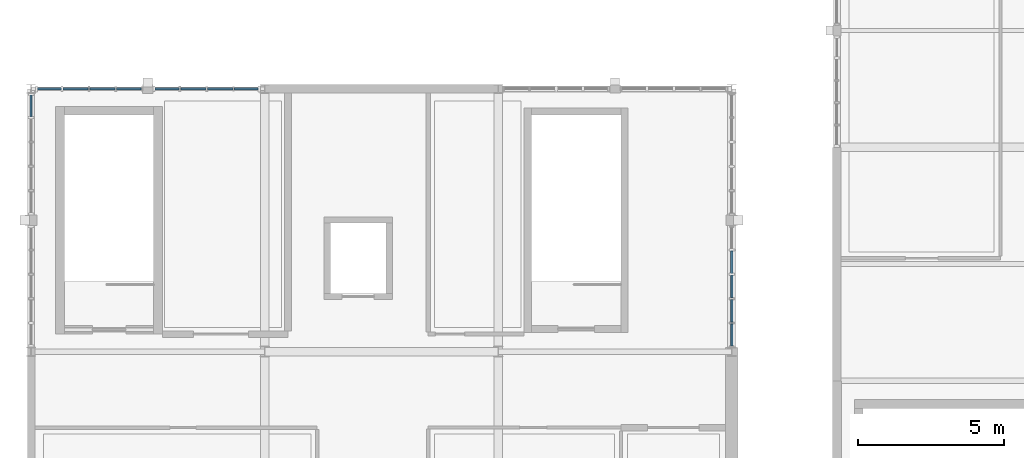
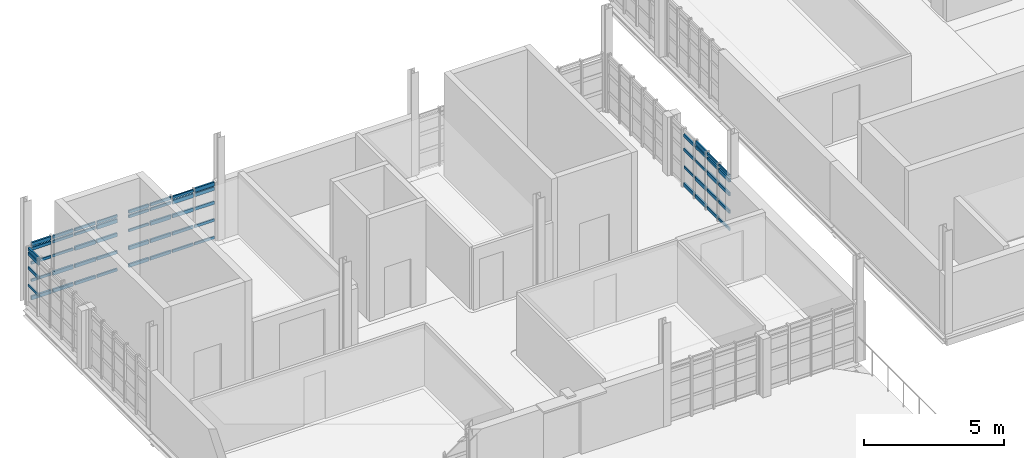
# One storey, part 19 of 44: 63 members, 4 elements without a shape of their own.
"""IFC4 building model written with IfcOpenShell, lengths in metres."""

from ifc_helpers import new_model, si_unit, direction, frame, origin, origin_2d, place, context, subcontext, project, spatial, rectangle, extrude, material, material_profile, profile_set, type_object, element, aggregate, save


model = new_model("IFC4")

# Units and contexts
model_context = context("Model", 3, precision=1e-05, world=origin(), true_north=direction((0.0, 1.0)))
body_context = subcontext(model_context, "Body", "Model", "MODEL_VIEW")
ifc_project = project(units=[si_unit("LENGTHUNIT", "METRE"), si_unit("AREAUNIT", "SQUARE_METRE"), si_unit("VOLUMEUNIT", "CUBIC_METRE"), si_unit("PLANEANGLEUNIT", "RADIAN"), si_unit("MASSUNIT", "GRAM", prefix="KILO")], contexts=[model_context])

# Site, building, storey
site_placement = place(None, origin())
site = spatial("IfcSite", under=ifc_project, at=site_placement, CompositionType="ELEMENT")
building_placement = place(site_placement, origin())
building = spatial("IfcBuilding", under=site, at=building_placement, Name="Serraforn Aerial Cableway Station", CompositionType="ELEMENT")
storey_placement = place(building_placement, frame((0.0, 0.0, 13.800048828125)))
storey = spatial("IfcBuildingStorey", under=building, at=storey_placement, Name="L03", CompositionType="ELEMENT", Elevation=13.800048828125)

# Curtain wall, members
ifc_material_1 = material(Name="Anodised bronze unitised curtain wall")
curtain_wall_type_1 = type_object("IfcCurtainWallType", Name="CW-SYS-11", PredefinedType="USERDEFINED", material=ifc_material_1)
curtain_wall_1_placement = place(storey_placement, origin())
curtain_wall_1 = element("IfcCurtainWall", 1, at=curtain_wall_1_placement, inside=storey, type_object=curtain_wall_type_1, Name="Unitised Curtain Wall CW-W-L03-N1A", ObjectType="UNITISED CURTAIN WALL", PredefinedType="USERDEFINED")
ifc_material_2 = material(Name="Anodised bronze extruded aluminium", Category="aluminium")
ifc_material_profile_1 = material_profile(ifc_material_2, rectangle(XDim=0.054931640625, YDim=0.110107421875, at=origin_2d()), Name="CW TRANSOM 55x110")
ifc_profile_set_1 = profile_set([ifc_material_profile_1], Name="Anodised bronze extruded aluminium")
member_type_1 = type_object("IfcMemberType", Name="CW-TRN-1", PredefinedType="USERDEFINED", material=ifc_profile_set_1)
member_1_placement = place(storey_placement, frame((7.779052734375, 36.0, 0.10205078125), z_axis=(-1.0, 0.0, 0.0), x_axis=(0.0, -1.0, 0.0)))
member_1 = element("IfcMember", 2, at=member_1_placement, type_object=member_type_1, Name="Curtain Wall Transom CW-W-L03-N1A-T1-1", ObjectType="TRANSOM", PredefinedType="USERDEFINED", context=body_context, shape_type="SweptSolid", body=[
    extrude(rectangle(XDim=0.054931640625, YDim=0.110107421875, at=origin_2d()), origin(), (0.0, 0.0, 1.0), 0.819580078125),
])
member_2_placement = place(storey_placement, frame((6.908447265625, 36.0, 2.447998046875), z_axis=(-1.0, 0.0, 0.0), x_axis=(0.0, -1.0, 0.0)))
member_2 = element("IfcMember", 3, at=member_2_placement, type_object=member_type_1, Name="Curtain Wall Transom CW-W-L03-N1A-T2-5", ObjectType="TRANSOM", PredefinedType="USERDEFINED", context=body_context, shape_type="SweptSolid", body=[
    extrude(rectangle(XDim=0.054931640625, YDim=0.110107421875, at=origin_2d()), origin(), (0.0, 0.0, 1.0), 0.864501953125),
])
member_3_placement = place(storey_placement, frame((5.988037109375, 36.0, 2.243896484375), z_axis=(-1.0, 0.0, 0.0), x_axis=(0.0, -1.0, 0.0)))
member_3 = element("IfcMember", 4, at=member_3_placement, type_object=member_type_1, Name="Curtain Wall Transom CW-W-L03-N1A-T3-4", ObjectType="TRANSOM", PredefinedType="USERDEFINED", context=body_context, shape_type="SweptSolid", body=[
    extrude(rectangle(XDim=0.054931640625, YDim=0.110107421875, at=origin_2d()), origin(), (0.0, 0.0, 1.0), 0.859619140625),
])
member_4_placement = place(storey_placement, frame((5.0673828125, 36.0, 1.6318359375), z_axis=(-1.0, 0.0, 0.0), x_axis=(0.0, -1.0, 0.0)))
member_4 = element("IfcMember", 5, at=member_4_placement, type_object=member_type_1, Name="Curtain Wall Transom CW-W-L03-N1A-T4-3", ObjectType="TRANSOM", PredefinedType="USERDEFINED", context=body_context, shape_type="SweptSolid", body=[
    extrude(rectangle(XDim=0.054931640625, YDim=0.110107421875, at=origin_2d()), origin(), (0.0, 0.0, 1.0), 0.8193359375),
])

curtain_wall_type_2 = type_object("IfcCurtainWallType", Name="CW-SYS-12", PredefinedType="USERDEFINED", material=ifc_material_1)
curtain_wall_2_placement = place(storey_placement, origin())
curtain_wall_2 = element("IfcCurtainWall", 6, at=curtain_wall_2_placement, inside=storey, type_object=curtain_wall_type_2, Name="Unitised Curtain Wall CW-W-L03-N1B", ObjectType="UNITISED CURTAIN WALL", PredefinedType="USERDEFINED")
member_5_placement = place(storey_placement, frame((3.76708984375, 36.0, 2.447998046875), z_axis=(-1.0, 0.0, 0.0), x_axis=(0.0, -1.0, 0.0)))
member_5 = element("IfcMember", 7, at=member_5_placement, type_object=member_type_1, Name="Curtain Wall Transom CW-W-L03-N1B-T1-5", ObjectType="TRANSOM", PredefinedType="USERDEFINED", context=body_context, shape_type="SweptSolid", body=[
    extrude(rectangle(XDim=0.054931640625, YDim=0.110107421875, at=origin_2d()), origin(), (0.0, 0.0, 1.0), 0.837158203125),
])
member_6_placement = place(storey_placement, frame((2.8740234375, 36.0, 2.243896484375), z_axis=(-1.0, 0.0, 0.0), x_axis=(0.0, -1.0, 0.0)))
member_6 = element("IfcMember", 8, at=member_6_placement, type_object=member_type_1, Name="Curtain Wall Transom CW-W-L03-N1B-T2-4", ObjectType="TRANSOM", PredefinedType="USERDEFINED", context=body_context, shape_type="SweptSolid", body=[
    extrude(rectangle(XDim=0.054931640625, YDim=0.110107421875, at=origin_2d()), origin(), (0.0, 0.0, 1.0), 0.859619140625),
])
member_7_placement = place(storey_placement, frame((1.95361328125, 36.0, 1.6318359375), z_axis=(-1.0, 0.0, 0.0), x_axis=(0.0, -1.0, 0.0)))
member_7 = element("IfcMember", 9, at=member_7_placement, type_object=member_type_1, Name="Curtain Wall Transom CW-W-L03-N1B-T3-3", ObjectType="TRANSOM", PredefinedType="USERDEFINED", context=body_context, shape_type="SweptSolid", body=[
    extrude(rectangle(XDim=0.054931640625, YDim=0.110107421875, at=origin_2d()), origin(), (0.0, 0.0, 1.0), 0.8544921875),
])
member_8_placement = place(storey_placement, frame((1.032958984375, 36.0, 0.866943359375), z_axis=(-1.0, 0.0, 0.0), x_axis=(0.0, -1.0, 0.0)))
member_8 = element("IfcMember", 10, at=member_8_placement, type_object=member_type_1, Name="Curtain Wall Transom CW-W-L03-N1B-T4-2", ObjectType="TRANSOM", PredefinedType="USERDEFINED", context=body_context, shape_type="SweptSolid", body=[
    extrude(rectangle(XDim=0.054931640625, YDim=0.110107421875, at=origin_2d()), origin(), (0.0, 0.0, 1.0), 0.81201171875),
])

# Curtain wall, member
curtain_wall_type_3 = type_object("IfcCurtainWallType", Name="CW-SYS-15", PredefinedType="USERDEFINED", material=ifc_material_1)
curtain_wall_3_placement = place(storey_placement, origin())
curtain_wall_3 = element("IfcCurtainWall", 11, at=curtain_wall_3_placement, inside=storey, type_object=curtain_wall_type_3, Name="Unitised Curtain Wall CW-W-L03-W2A", ObjectType="UNITISED CURTAIN WALL", PredefinedType="USERDEFINED")
member_9_placement = place(storey_placement, frame((0.0, 35.783935546875, 0.866943359375), z_axis=(0.0, -1.0, 0.0), x_axis=(1.0, 0.0, 0.0)))
member_9 = element("IfcMember", 12, at=member_9_placement, type_object=member_type_1, Name="Curtain Wall Transom CW-W-L03-W2A-T1-2", ObjectType="TRANSOM", PredefinedType="USERDEFINED", context=body_context, shape_type="SweptSolid", body=[
    extrude(rectangle(XDim=0.054931640625, YDim=0.110107421875, at=origin_2d()), origin(), (0.0, 0.0, 1.0), 0.73095703125),
])

# Curtain wall, members
curtain_wall_type_4 = type_object("IfcCurtainWallType", Name="CW-SYS-17", PredefinedType="USERDEFINED", material=ifc_material_1)
curtain_wall_4_placement = place(storey_placement, origin())
curtain_wall_4 = element("IfcCurtainWall", 13, at=curtain_wall_4_placement, inside=storey, type_object=curtain_wall_type_4, Name="Unitised Curtain Wall CW-W-L03-E2A", ObjectType="UNITISED CURTAIN WALL", PredefinedType="USERDEFINED")
member_10_placement = place(storey_placement, frame((24.0, 27.200927734375, 2.447998046875), z_axis=(0.0, 1.0, 0.0), x_axis=(-1.0, 0.0, 0.0)))
member_10 = element("IfcMember", 14, at=member_10_placement, type_object=member_type_1, Name="Curtain Wall Transom CW-W-L03-E2A-T1-5", ObjectType="TRANSOM", PredefinedType="USERDEFINED", context=body_context, shape_type="SweptSolid", body=[
    extrude(rectangle(XDim=0.054931640625, YDim=0.110107421875, at=origin_2d()), origin(), (0.0, 0.0, 1.0), 0.75341796875),
])
member_11_placement = place(storey_placement, frame((24.0, 28.010498046875, 2.243896484375), z_axis=(0.0, 1.0, 0.0), x_axis=(-1.0, 0.0, 0.0)))
member_11 = element("IfcMember", 15, at=member_11_placement, type_object=member_type_1, Name="Curtain Wall Transom CW-W-L03-E2A-T2-4", ObjectType="TRANSOM", PredefinedType="USERDEFINED", context=body_context, shape_type="SweptSolid", body=[
    extrude(rectangle(XDim=0.054931640625, YDim=0.110107421875, at=origin_2d()), origin(), (0.0, 0.0, 1.0), 0.77587890625),
])
member_12_placement = place(storey_placement, frame((24.0, 28.847412109375, 1.6318359375), z_axis=(0.0, 1.0, 0.0), x_axis=(-1.0, 0.0, 0.0)))
member_12 = element("IfcMember", 16, at=member_12_placement, type_object=member_type_1, Name="Curtain Wall Transom CW-W-L03-E2A-T3-3", ObjectType="TRANSOM", PredefinedType="USERDEFINED", context=body_context, shape_type="SweptSolid", body=[
    extrude(rectangle(XDim=0.054931640625, YDim=0.110107421875, at=origin_2d()), origin(), (0.0, 0.0, 1.0), 0.770751953125),
])
member_13_placement = place(storey_placement, frame((24.0, 29.68408203125, 0.866943359375), z_axis=(0.0, 1.0, 0.0), x_axis=(-1.0, 0.0, 0.0)))
member_13 = element("IfcMember", 17, at=member_13_placement, type_object=member_type_1, Name="Curtain Wall Transom CW-W-L03-E2A-T4-2", ObjectType="TRANSOM", PredefinedType="USERDEFINED", context=body_context, shape_type="SweptSolid", body=[
    extrude(rectangle(XDim=0.054931640625, YDim=0.110107421875, at=origin_2d()), origin(), (0.0, 0.0, 1.0), 0.76611328125),
])

# Member
ifc_material_profile_2 = material_profile(ifc_material_2, rectangle(XDim=0.06005859375, YDim=0.1201171875, at=origin_2d()), Name="CW TRANSOM 60x120")
ifc_profile_set_2 = profile_set([ifc_material_profile_2], Name="Anodised bronze extruded aluminium")
member_type_2 = type_object("IfcMemberType", Name="CW-TRN-2", PredefinedType="USERDEFINED", material=ifc_profile_set_2)
member_14_placement = place(storey_placement, frame((7.779052734375, 36.0, 0.866943359375), z_axis=(-1.0, 0.0, 0.0), x_axis=(0.0, -1.0, 0.0)))
member_14 = element("IfcMember", 18, at=member_14_placement, type_object=member_type_2, Name="Curtain Wall Transom CW-W-L03-N1A-T1-2", ObjectType="TRANSOM", PredefinedType="USERDEFINED", context=body_context, shape_type="SweptSolid", body=[
    extrude(rectangle(XDim=0.06005859375, YDim=0.1201171875, at=origin_2d()), origin(), (0.0, 0.0, 1.0), 0.819580078125),
])

member_15_placement = place(storey_placement, frame((6.908447265625, 36.0, 0.10205078125), z_axis=(-1.0, 0.0, 0.0), x_axis=(0.0, -1.0, 0.0)))
member_15 = element("IfcMember", 19, at=member_15_placement, type_object=member_type_2, Name="Curtain Wall Transom CW-W-L03-N1A-T2-1", ObjectType="TRANSOM", PredefinedType="USERDEFINED", context=body_context, shape_type="SweptSolid", body=[
    extrude(rectangle(XDim=0.06005859375, YDim=0.1201171875, at=origin_2d()), origin(), (0.0, 0.0, 1.0), 0.864501953125),
])

member_16_placement = place(storey_placement, frame((5.988037109375, 36.0, 2.447998046875), z_axis=(-1.0, 0.0, 0.0), x_axis=(0.0, -1.0, 0.0)))
member_16 = element("IfcMember", 20, at=member_16_placement, type_object=member_type_2, Name="Curtain Wall Transom CW-W-L03-N1A-T3-5", ObjectType="TRANSOM", PredefinedType="USERDEFINED", context=body_context, shape_type="SweptSolid", body=[
    extrude(rectangle(XDim=0.06005859375, YDim=0.1201171875, at=origin_2d()), origin(), (0.0, 0.0, 1.0), 0.859619140625),
])

member_17_placement = place(storey_placement, frame((5.0673828125, 36.0, 2.243896484375), z_axis=(-1.0, 0.0, 0.0), x_axis=(0.0, -1.0, 0.0)))
member_17 = element("IfcMember", 21, at=member_17_placement, type_object=member_type_2, Name="Curtain Wall Transom CW-W-L03-N1A-T4-4", ObjectType="TRANSOM", PredefinedType="USERDEFINED", context=body_context, shape_type="SweptSolid", body=[
    extrude(rectangle(XDim=0.06005859375, YDim=0.1201171875, at=origin_2d()), origin(), (0.0, 0.0, 1.0), 0.8193359375),
])

member_18_placement = place(storey_placement, frame((3.76708984375, 36.0, 0.10205078125), z_axis=(-1.0, 0.0, 0.0), x_axis=(0.0, -1.0, 0.0)))
member_18 = element("IfcMember", 22, at=member_18_placement, type_object=member_type_2, Name="Curtain Wall Transom CW-W-L03-N1B-T1-1", ObjectType="TRANSOM", PredefinedType="USERDEFINED", context=body_context, shape_type="SweptSolid", body=[
    extrude(rectangle(XDim=0.06005859375, YDim=0.1201171875, at=origin_2d()), origin(), (0.0, 0.0, 1.0), 0.837158203125),
])

member_19_placement = place(storey_placement, frame((2.8740234375, 36.0, 2.447998046875), z_axis=(-1.0, 0.0, 0.0), x_axis=(0.0, -1.0, 0.0)))
member_19 = element("IfcMember", 23, at=member_19_placement, type_object=member_type_2, Name="Curtain Wall Transom CW-W-L03-N1B-T2-5", ObjectType="TRANSOM", PredefinedType="USERDEFINED", context=body_context, shape_type="SweptSolid", body=[
    extrude(rectangle(XDim=0.06005859375, YDim=0.1201171875, at=origin_2d()), origin(), (0.0, 0.0, 1.0), 0.859619140625),
])

member_20_placement = place(storey_placement, frame((1.95361328125, 36.0, 2.243896484375), z_axis=(-1.0, 0.0, 0.0), x_axis=(0.0, -1.0, 0.0)))
member_20 = element("IfcMember", 24, at=member_20_placement, type_object=member_type_2, Name="Curtain Wall Transom CW-W-L03-N1B-T3-4", ObjectType="TRANSOM", PredefinedType="USERDEFINED", context=body_context, shape_type="SweptSolid", body=[
    extrude(rectangle(XDim=0.06005859375, YDim=0.1201171875, at=origin_2d()), origin(), (0.0, 0.0, 1.0), 0.8544921875),
])

member_21_placement = place(storey_placement, frame((1.032958984375, 36.0, 1.6318359375), z_axis=(-1.0, 0.0, 0.0), x_axis=(0.0, -1.0, 0.0)))
member_21 = element("IfcMember", 25, at=member_21_placement, type_object=member_type_2, Name="Curtain Wall Transom CW-W-L03-N1B-T4-3", ObjectType="TRANSOM", PredefinedType="USERDEFINED", context=body_context, shape_type="SweptSolid", body=[
    extrude(rectangle(XDim=0.06005859375, YDim=0.1201171875, at=origin_2d()), origin(), (0.0, 0.0, 1.0), 0.81201171875),
])

member_22_placement = place(storey_placement, frame((0.0, 35.783935546875, 1.6318359375), z_axis=(0.0, -1.0, 0.0), x_axis=(1.0, 0.0, 0.0)))
member_22 = element("IfcMember", 26, at=member_22_placement, type_object=member_type_2, Name="Curtain Wall Transom CW-W-L03-W2A-T1-3", ObjectType="TRANSOM", PredefinedType="USERDEFINED", context=body_context, shape_type="SweptSolid", body=[
    extrude(rectangle(XDim=0.06005859375, YDim=0.1201171875, at=origin_2d()), origin(), (0.0, 0.0, 1.0), 0.73095703125),
])

member_23_placement = place(storey_placement, frame((24.0, 27.200927734375, 0.10205078125), z_axis=(0.0, 1.0, 0.0), x_axis=(-1.0, 0.0, 0.0)))
member_23 = element("IfcMember", 27, at=member_23_placement, type_object=member_type_2, Name="Curtain Wall Transom CW-W-L03-E2A-T1-1", ObjectType="TRANSOM", PredefinedType="USERDEFINED", context=body_context, shape_type="SweptSolid", body=[
    extrude(rectangle(XDim=0.06005859375, YDim=0.1201171875, at=origin_2d()), origin(), (0.0, 0.0, 1.0), 0.75341796875),
])

member_24_placement = place(storey_placement, frame((24.0, 28.010498046875, 2.447998046875), z_axis=(0.0, 1.0, 0.0), x_axis=(-1.0, 0.0, 0.0)))
member_24 = element("IfcMember", 28, at=member_24_placement, type_object=member_type_2, Name="Curtain Wall Transom CW-W-L03-E2A-T2-5", ObjectType="TRANSOM", PredefinedType="USERDEFINED", context=body_context, shape_type="SweptSolid", body=[
    extrude(rectangle(XDim=0.06005859375, YDim=0.1201171875, at=origin_2d()), origin(), (0.0, 0.0, 1.0), 0.77587890625),
])

member_25_placement = place(storey_placement, frame((24.0, 28.847412109375, 2.243896484375), z_axis=(0.0, 1.0, 0.0), x_axis=(-1.0, 0.0, 0.0)))
member_25 = element("IfcMember", 29, at=member_25_placement, type_object=member_type_2, Name="Curtain Wall Transom CW-W-L03-E2A-T3-4", ObjectType="TRANSOM", PredefinedType="USERDEFINED", context=body_context, shape_type="SweptSolid", body=[
    extrude(rectangle(XDim=0.06005859375, YDim=0.1201171875, at=origin_2d()), origin(), (0.0, 0.0, 1.0), 0.770751953125),
])

member_26_placement = place(storey_placement, frame((24.0, 29.68408203125, 1.6318359375), z_axis=(0.0, 1.0, 0.0), x_axis=(-1.0, 0.0, 0.0)))
member_26 = element("IfcMember", 30, at=member_26_placement, type_object=member_type_2, Name="Curtain Wall Transom CW-W-L03-E2A-T4-3", ObjectType="TRANSOM", PredefinedType="USERDEFINED", context=body_context, shape_type="SweptSolid", body=[
    extrude(rectangle(XDim=0.06005859375, YDim=0.1201171875, at=origin_2d()), origin(), (0.0, 0.0, 1.0), 0.76611328125),
])

ifc_material_profile_3 = material_profile(ifc_material_2, rectangle(XDim=0.06494140625, YDim=0.135009765625, at=origin_2d()), Name="CW TRANSOM 65x135")
ifc_profile_set_3 = profile_set([ifc_material_profile_3], Name="Anodised bronze extruded aluminium")
member_type_3 = type_object("IfcMemberType", Name="CW-TRN-3", PredefinedType="USERDEFINED", material=ifc_profile_set_3)
member_27_placement = place(storey_placement, frame((7.779052734375, 36.0, 1.6318359375), z_axis=(-1.0, 0.0, 0.0), x_axis=(0.0, -1.0, 0.0)))
member_27 = element("IfcMember", 31, at=member_27_placement, type_object=member_type_3, Name="Curtain Wall Transom CW-W-L03-N1A-T1-3", ObjectType="TRANSOM", PredefinedType="USERDEFINED", context=body_context, shape_type="SweptSolid", body=[
    extrude(rectangle(XDim=0.06494140625, YDim=0.135009765625, at=origin_2d()), origin(), (0.0, 0.0, 1.0), 0.819580078125),
])

member_28_placement = place(storey_placement, frame((6.908447265625, 36.0, 0.866943359375), z_axis=(-1.0, 0.0, 0.0), x_axis=(0.0, -1.0, 0.0)))
member_28 = element("IfcMember", 32, at=member_28_placement, type_object=member_type_3, Name="Curtain Wall Transom CW-W-L03-N1A-T2-2", ObjectType="TRANSOM", PredefinedType="USERDEFINED", context=body_context, shape_type="SweptSolid", body=[
    extrude(rectangle(XDim=0.06494140625, YDim=0.135009765625, at=origin_2d()), origin(), (0.0, 0.0, 1.0), 0.864501953125),
])

member_29_placement = place(storey_placement, frame((5.988037109375, 36.0, 0.10205078125), z_axis=(-1.0, 0.0, 0.0), x_axis=(0.0, -1.0, 0.0)))
member_29 = element("IfcMember", 33, at=member_29_placement, type_object=member_type_3, Name="Curtain Wall Transom CW-W-L03-N1A-T3-1", ObjectType="TRANSOM", PredefinedType="USERDEFINED", context=body_context, shape_type="SweptSolid", body=[
    extrude(rectangle(XDim=0.06494140625, YDim=0.135009765625, at=origin_2d()), origin(), (0.0, 0.0, 1.0), 0.859619140625),
])

member_30_placement = place(storey_placement, frame((5.0673828125, 36.0, 2.447998046875), z_axis=(-1.0, 0.0, 0.0), x_axis=(0.0, -1.0, 0.0)))
member_30 = element("IfcMember", 34, at=member_30_placement, type_object=member_type_3, Name="Curtain Wall Transom CW-W-L03-N1A-T4-5", ObjectType="TRANSOM", PredefinedType="USERDEFINED", context=body_context, shape_type="SweptSolid", body=[
    extrude(rectangle(XDim=0.06494140625, YDim=0.135009765625, at=origin_2d()), origin(), (0.0, 0.0, 1.0), 0.8193359375),
])

member_31_placement = place(storey_placement, frame((3.76708984375, 36.0, 0.866943359375), z_axis=(-1.0, 0.0, 0.0), x_axis=(0.0, -1.0, 0.0)))
member_31 = element("IfcMember", 35, at=member_31_placement, type_object=member_type_3, Name="Curtain Wall Transom CW-W-L03-N1B-T1-2", ObjectType="TRANSOM", PredefinedType="USERDEFINED", context=body_context, shape_type="SweptSolid", body=[
    extrude(rectangle(XDim=0.06494140625, YDim=0.135009765625, at=origin_2d()), origin(), (0.0, 0.0, 1.0), 0.837158203125),
])

member_32_placement = place(storey_placement, frame((2.8740234375, 36.0, 0.10205078125), z_axis=(-1.0, 0.0, 0.0), x_axis=(0.0, -1.0, 0.0)))
member_32 = element("IfcMember", 36, at=member_32_placement, type_object=member_type_3, Name="Curtain Wall Transom CW-W-L03-N1B-T2-1", ObjectType="TRANSOM", PredefinedType="USERDEFINED", context=body_context, shape_type="SweptSolid", body=[
    extrude(rectangle(XDim=0.06494140625, YDim=0.135009765625, at=origin_2d()), origin(), (0.0, 0.0, 1.0), 0.859619140625),
])

member_33_placement = place(storey_placement, frame((1.95361328125, 36.0, 2.447998046875), z_axis=(-1.0, 0.0, 0.0), x_axis=(0.0, -1.0, 0.0)))
member_33 = element("IfcMember", 37, at=member_33_placement, type_object=member_type_3, Name="Curtain Wall Transom CW-W-L03-N1B-T3-5", ObjectType="TRANSOM", PredefinedType="USERDEFINED", context=body_context, shape_type="SweptSolid", body=[
    extrude(rectangle(XDim=0.06494140625, YDim=0.135009765625, at=origin_2d()), origin(), (0.0, 0.0, 1.0), 0.8544921875),
])

member_34_placement = place(storey_placement, frame((1.032958984375, 36.0, 2.243896484375), z_axis=(-1.0, 0.0, 0.0), x_axis=(0.0, -1.0, 0.0)))
member_34 = element("IfcMember", 38, at=member_34_placement, type_object=member_type_3, Name="Curtain Wall Transom CW-W-L03-N1B-T4-4", ObjectType="TRANSOM", PredefinedType="USERDEFINED", context=body_context, shape_type="SweptSolid", body=[
    extrude(rectangle(XDim=0.06494140625, YDim=0.135009765625, at=origin_2d()), origin(), (0.0, 0.0, 1.0), 0.81201171875),
])

member_35_placement = place(storey_placement, frame((0.0, 35.783935546875, 2.243896484375), z_axis=(0.0, -1.0, 0.0), x_axis=(1.0, 0.0, 0.0)))
member_35 = element("IfcMember", 39, at=member_35_placement, type_object=member_type_3, Name="Curtain Wall Transom CW-W-L03-W2A-T1-4", ObjectType="TRANSOM", PredefinedType="USERDEFINED", context=body_context, shape_type="SweptSolid", body=[
    extrude(rectangle(XDim=0.06494140625, YDim=0.135009765625, at=origin_2d()), origin(), (0.0, 0.0, 1.0), 0.73095703125),
])

member_36_placement = place(storey_placement, frame((24.0, 27.200927734375, 0.866943359375), z_axis=(0.0, 1.0, 0.0), x_axis=(-1.0, 0.0, 0.0)))
member_36 = element("IfcMember", 40, at=member_36_placement, type_object=member_type_3, Name="Curtain Wall Transom CW-W-L03-E2A-T1-2", ObjectType="TRANSOM", PredefinedType="USERDEFINED", context=body_context, shape_type="SweptSolid", body=[
    extrude(rectangle(XDim=0.06494140625, YDim=0.135009765625, at=origin_2d()), origin(), (0.0, 0.0, 1.0), 0.75341796875),
])

member_37_placement = place(storey_placement, frame((24.0, 28.010498046875, 0.10205078125), z_axis=(0.0, 1.0, 0.0), x_axis=(-1.0, 0.0, 0.0)))
member_37 = element("IfcMember", 41, at=member_37_placement, type_object=member_type_3, Name="Curtain Wall Transom CW-W-L03-E2A-T2-1", ObjectType="TRANSOM", PredefinedType="USERDEFINED", context=body_context, shape_type="SweptSolid", body=[
    extrude(rectangle(XDim=0.06494140625, YDim=0.135009765625, at=origin_2d()), origin(), (0.0, 0.0, 1.0), 0.77587890625),
])

member_38_placement = place(storey_placement, frame((24.0, 28.847412109375, 2.447998046875), z_axis=(0.0, 1.0, 0.0), x_axis=(-1.0, 0.0, 0.0)))
member_38 = element("IfcMember", 42, at=member_38_placement, type_object=member_type_3, Name="Curtain Wall Transom CW-W-L03-E2A-T3-5", ObjectType="TRANSOM", PredefinedType="USERDEFINED", context=body_context, shape_type="SweptSolid", body=[
    extrude(rectangle(XDim=0.06494140625, YDim=0.135009765625, at=origin_2d()), origin(), (0.0, 0.0, 1.0), 0.770751953125),
])

member_39_placement = place(storey_placement, frame((24.0, 29.68408203125, 2.243896484375), z_axis=(0.0, 1.0, 0.0), x_axis=(-1.0, 0.0, 0.0)))
member_39 = element("IfcMember", 43, at=member_39_placement, type_object=member_type_3, Name="Curtain Wall Transom CW-W-L03-E2A-T4-4", ObjectType="TRANSOM", PredefinedType="USERDEFINED", context=body_context, shape_type="SweptSolid", body=[
    extrude(rectangle(XDim=0.06494140625, YDim=0.135009765625, at=origin_2d()), origin(), (0.0, 0.0, 1.0), 0.76611328125),
])

ifc_material_profile_4 = material_profile(ifc_material_2, rectangle(XDim=0.070068359375, YDim=0.14990234375, at=origin_2d()), Name="CW TRANSOM 70x150")
ifc_profile_set_4 = profile_set([ifc_material_profile_4], Name="Anodised bronze extruded aluminium")
member_type_4 = type_object("IfcMemberType", Name="CW-TRN-4", PredefinedType="USERDEFINED", material=ifc_profile_set_4)
member_40_placement = place(storey_placement, frame((7.779052734375, 36.0, 2.243896484375), z_axis=(-1.0, 0.0, 0.0), x_axis=(0.0, -1.0, 0.0)))
member_40 = element("IfcMember", 44, at=member_40_placement, type_object=member_type_4, Name="Curtain Wall Transom CW-W-L03-N1A-T1-4", ObjectType="TRANSOM", PredefinedType="USERDEFINED", context=body_context, shape_type="SweptSolid", body=[
    extrude(rectangle(XDim=0.070068359375, YDim=0.14990234375, at=origin_2d()), origin(), (0.0, 0.0, 1.0), 0.819580078125),
])

member_41_placement = place(storey_placement, frame((6.908447265625, 36.0, 1.6318359375), z_axis=(-1.0, 0.0, 0.0), x_axis=(0.0, -1.0, 0.0)))
member_41 = element("IfcMember", 45, at=member_41_placement, type_object=member_type_4, Name="Curtain Wall Transom CW-W-L03-N1A-T2-3", ObjectType="TRANSOM", PredefinedType="USERDEFINED", context=body_context, shape_type="SweptSolid", body=[
    extrude(rectangle(XDim=0.070068359375, YDim=0.14990234375, at=origin_2d()), origin(), (0.0, 0.0, 1.0), 0.864501953125),
])

member_42_placement = place(storey_placement, frame((5.988037109375, 36.0, 0.866943359375), z_axis=(-1.0, 0.0, 0.0), x_axis=(0.0, -1.0, 0.0)))
member_42 = element("IfcMember", 46, at=member_42_placement, type_object=member_type_4, Name="Curtain Wall Transom CW-W-L03-N1A-T3-2", ObjectType="TRANSOM", PredefinedType="USERDEFINED", context=body_context, shape_type="SweptSolid", body=[
    extrude(rectangle(XDim=0.070068359375, YDim=0.14990234375, at=origin_2d()), origin(), (0.0, 0.0, 1.0), 0.859619140625),
])

member_43_placement = place(storey_placement, frame((5.0673828125, 36.0, 0.10205078125), z_axis=(-1.0, 0.0, 0.0), x_axis=(0.0, -1.0, 0.0)))
member_43 = element("IfcMember", 47, at=member_43_placement, type_object=member_type_4, Name="Curtain Wall Transom CW-W-L03-N1A-T4-1", ObjectType="TRANSOM", PredefinedType="USERDEFINED", context=body_context, shape_type="SweptSolid", body=[
    extrude(rectangle(XDim=0.070068359375, YDim=0.14990234375, at=origin_2d()), origin(), (0.0, 0.0, 1.0), 0.8193359375),
])

member_44_placement = place(storey_placement, frame((3.76708984375, 36.0, 1.6318359375), z_axis=(-1.0, 0.0, 0.0), x_axis=(0.0, -1.0, 0.0)))
member_44 = element("IfcMember", 48, at=member_44_placement, type_object=member_type_4, Name="Curtain Wall Transom CW-W-L03-N1B-T1-3", ObjectType="TRANSOM", PredefinedType="USERDEFINED", context=body_context, shape_type="SweptSolid", body=[
    extrude(rectangle(XDim=0.070068359375, YDim=0.14990234375, at=origin_2d()), origin(), (0.0, 0.0, 1.0), 0.837158203125),
])

member_45_placement = place(storey_placement, frame((2.8740234375, 36.0, 0.866943359375), z_axis=(-1.0, 0.0, 0.0), x_axis=(0.0, -1.0, 0.0)))
member_45 = element("IfcMember", 49, at=member_45_placement, type_object=member_type_4, Name="Curtain Wall Transom CW-W-L03-N1B-T2-2", ObjectType="TRANSOM", PredefinedType="USERDEFINED", context=body_context, shape_type="SweptSolid", body=[
    extrude(rectangle(XDim=0.070068359375, YDim=0.14990234375, at=origin_2d()), origin(), (0.0, 0.0, 1.0), 0.859619140625),
])

member_46_placement = place(storey_placement, frame((1.95361328125, 36.0, 0.10205078125), z_axis=(-1.0, 0.0, 0.0), x_axis=(0.0, -1.0, 0.0)))
member_46 = element("IfcMember", 50, at=member_46_placement, type_object=member_type_4, Name="Curtain Wall Transom CW-W-L03-N1B-T3-1", ObjectType="TRANSOM", PredefinedType="USERDEFINED", context=body_context, shape_type="SweptSolid", body=[
    extrude(rectangle(XDim=0.070068359375, YDim=0.14990234375, at=origin_2d()), origin(), (0.0, 0.0, 1.0), 0.8544921875),
])

member_47_placement = place(storey_placement, frame((1.032958984375, 36.0, 2.447998046875), z_axis=(-1.0, 0.0, 0.0), x_axis=(0.0, -1.0, 0.0)))
member_47 = element("IfcMember", 51, at=member_47_placement, type_object=member_type_4, Name="Curtain Wall Transom CW-W-L03-N1B-T4-5", ObjectType="TRANSOM", PredefinedType="USERDEFINED", context=body_context, shape_type="SweptSolid", body=[
    extrude(rectangle(XDim=0.070068359375, YDim=0.14990234375, at=origin_2d()), origin(), (0.0, 0.0, 1.0), 0.81201171875),
])

member_48_placement = place(storey_placement, frame((0.0, 35.783935546875, 2.447998046875), z_axis=(0.0, -1.0, 0.0), x_axis=(1.0, 0.0, 0.0)))
member_48 = element("IfcMember", 52, at=member_48_placement, type_object=member_type_4, Name="Curtain Wall Transom CW-W-L03-W2A-T1-5", ObjectType="TRANSOM", PredefinedType="USERDEFINED", context=body_context, shape_type="SweptSolid", body=[
    extrude(rectangle(XDim=0.070068359375, YDim=0.14990234375, at=origin_2d()), origin(), (0.0, 0.0, 1.0), 0.73095703125),
])

aggregate(curtain_wall_3, [member_9, member_22, member_35, member_48])

member_49_placement = place(storey_placement, frame((24.0, 27.200927734375, 1.6318359375), z_axis=(0.0, 1.0, 0.0), x_axis=(-1.0, 0.0, 0.0)))
member_49 = element("IfcMember", 53, at=member_49_placement, type_object=member_type_4, Name="Curtain Wall Transom CW-W-L03-E2A-T1-3", ObjectType="TRANSOM", PredefinedType="USERDEFINED", context=body_context, shape_type="SweptSolid", body=[
    extrude(rectangle(XDim=0.070068359375, YDim=0.14990234375, at=origin_2d()), origin(), (0.0, 0.0, 1.0), 0.75341796875),
])

member_50_placement = place(storey_placement, frame((24.0, 28.010498046875, 0.866943359375), z_axis=(0.0, 1.0, 0.0), x_axis=(-1.0, 0.0, 0.0)))
member_50 = element("IfcMember", 54, at=member_50_placement, type_object=member_type_4, Name="Curtain Wall Transom CW-W-L03-E2A-T2-2", ObjectType="TRANSOM", PredefinedType="USERDEFINED", context=body_context, shape_type="SweptSolid", body=[
    extrude(rectangle(XDim=0.070068359375, YDim=0.14990234375, at=origin_2d()), origin(), (0.0, 0.0, 1.0), 0.77587890625),
])

member_51_placement = place(storey_placement, frame((24.0, 28.847412109375, 0.10205078125), z_axis=(0.0, 1.0, 0.0), x_axis=(-1.0, 0.0, 0.0)))
member_51 = element("IfcMember", 55, at=member_51_placement, type_object=member_type_4, Name="Curtain Wall Transom CW-W-L03-E2A-T3-1", ObjectType="TRANSOM", PredefinedType="USERDEFINED", context=body_context, shape_type="SweptSolid", body=[
    extrude(rectangle(XDim=0.070068359375, YDim=0.14990234375, at=origin_2d()), origin(), (0.0, 0.0, 1.0), 0.770751953125),
])

ifc_material_profile_5 = material_profile(ifc_material_2, rectangle(XDim=0.074951171875, YDim=0.1650390625, at=origin_2d()), Name="CW TRANSOM 75x165")
ifc_profile_set_5 = profile_set([ifc_material_profile_5], Name="Anodised bronze extruded aluminium")
member_type_5 = type_object("IfcMemberType", Name="CW-TRN-5", PredefinedType="USERDEFINED", material=ifc_profile_set_5)
member_52_placement = place(storey_placement, frame((7.779052734375, 36.0, 2.447998046875), z_axis=(-1.0, 0.0, 0.0), x_axis=(0.0, -1.0, 0.0)))
member_52 = element("IfcMember", 56, at=member_52_placement, type_object=member_type_5, Name="Curtain Wall Transom CW-W-L03-N1A-T1-5", ObjectType="TRANSOM", PredefinedType="USERDEFINED", context=body_context, shape_type="SweptSolid", body=[
    extrude(rectangle(XDim=0.074951171875, YDim=0.1650390625, at=origin_2d()), origin(), (0.0, 0.0, 1.0), 0.819580078125),
])

member_53_placement = place(storey_placement, frame((6.908447265625, 36.0, 2.243896484375), z_axis=(-1.0, 0.0, 0.0), x_axis=(0.0, -1.0, 0.0)))
member_53 = element("IfcMember", 57, at=member_53_placement, type_object=member_type_5, Name="Curtain Wall Transom CW-W-L03-N1A-T2-4", ObjectType="TRANSOM", PredefinedType="USERDEFINED", context=body_context, shape_type="SweptSolid", body=[
    extrude(rectangle(XDim=0.074951171875, YDim=0.1650390625, at=origin_2d()), origin(), (0.0, 0.0, 1.0), 0.864501953125),
])

member_54_placement = place(storey_placement, frame((5.988037109375, 36.0, 1.6318359375), z_axis=(-1.0, 0.0, 0.0), x_axis=(0.0, -1.0, 0.0)))
member_54 = element("IfcMember", 58, at=member_54_placement, type_object=member_type_5, Name="Curtain Wall Transom CW-W-L03-N1A-T3-3", ObjectType="TRANSOM", PredefinedType="USERDEFINED", context=body_context, shape_type="SweptSolid", body=[
    extrude(rectangle(XDim=0.074951171875, YDim=0.1650390625, at=origin_2d()), origin(), (0.0, 0.0, 1.0), 0.859619140625),
])

member_55_placement = place(storey_placement, frame((5.0673828125, 36.0, 0.866943359375), z_axis=(-1.0, 0.0, 0.0), x_axis=(0.0, -1.0, 0.0)))
member_55 = element("IfcMember", 59, at=member_55_placement, type_object=member_type_5, Name="Curtain Wall Transom CW-W-L03-N1A-T4-2", ObjectType="TRANSOM", PredefinedType="USERDEFINED", context=body_context, shape_type="SweptSolid", body=[
    extrude(rectangle(XDim=0.074951171875, YDim=0.1650390625, at=origin_2d()), origin(), (0.0, 0.0, 1.0), 0.8193359375),
])

aggregate(curtain_wall_1, [member_1, member_14, member_27, member_40, member_52, member_15, member_28, member_41, member_53, member_2, member_29, member_42, member_54, member_3, member_16, member_43, member_55, member_4, member_17, member_30])

member_56_placement = place(storey_placement, frame((3.76708984375, 36.0, 2.243896484375), z_axis=(-1.0, 0.0, 0.0), x_axis=(0.0, -1.0, 0.0)))
member_56 = element("IfcMember", 60, at=member_56_placement, type_object=member_type_5, Name="Curtain Wall Transom CW-W-L03-N1B-T1-4", ObjectType="TRANSOM", PredefinedType="USERDEFINED", context=body_context, shape_type="SweptSolid", body=[
    extrude(rectangle(XDim=0.074951171875, YDim=0.1650390625, at=origin_2d()), origin(), (0.0, 0.0, 1.0), 0.837158203125),
])

member_57_placement = place(storey_placement, frame((2.8740234375, 36.0, 1.6318359375), z_axis=(-1.0, 0.0, 0.0), x_axis=(0.0, -1.0, 0.0)))
member_57 = element("IfcMember", 61, at=member_57_placement, type_object=member_type_5, Name="Curtain Wall Transom CW-W-L03-N1B-T2-3", ObjectType="TRANSOM", PredefinedType="USERDEFINED", context=body_context, shape_type="SweptSolid", body=[
    extrude(rectangle(XDim=0.074951171875, YDim=0.1650390625, at=origin_2d()), origin(), (0.0, 0.0, 1.0), 0.859619140625),
])

member_58_placement = place(storey_placement, frame((1.95361328125, 36.0, 0.866943359375), z_axis=(-1.0, 0.0, 0.0), x_axis=(0.0, -1.0, 0.0)))
member_58 = element("IfcMember", 62, at=member_58_placement, type_object=member_type_5, Name="Curtain Wall Transom CW-W-L03-N1B-T3-2", ObjectType="TRANSOM", PredefinedType="USERDEFINED", context=body_context, shape_type="SweptSolid", body=[
    extrude(rectangle(XDim=0.074951171875, YDim=0.1650390625, at=origin_2d()), origin(), (0.0, 0.0, 1.0), 0.8544921875),
])

member_59_placement = place(storey_placement, frame((1.032958984375, 36.0, 0.10205078125), z_axis=(-1.0, 0.0, 0.0), x_axis=(0.0, -1.0, 0.0)))
member_59 = element("IfcMember", 63, at=member_59_placement, type_object=member_type_5, Name="Curtain Wall Transom CW-W-L03-N1B-T4-1", ObjectType="TRANSOM", PredefinedType="USERDEFINED", context=body_context, shape_type="SweptSolid", body=[
    extrude(rectangle(XDim=0.074951171875, YDim=0.1650390625, at=origin_2d()), origin(), (0.0, 0.0, 1.0), 0.81201171875),
])

aggregate(curtain_wall_2, [member_18, member_31, member_44, member_56, member_5, member_32, member_45, member_57, member_6, member_19, member_46, member_58, member_7, member_20, member_33, member_59, member_8, member_21, member_34, member_47])

member_60_placement = place(storey_placement, frame((24.0, 27.200927734375, 2.243896484375), z_axis=(0.0, 1.0, 0.0), x_axis=(-1.0, 0.0, 0.0)))
member_60 = element("IfcMember", 64, at=member_60_placement, type_object=member_type_5, Name="Curtain Wall Transom CW-W-L03-E2A-T1-4", ObjectType="TRANSOM", PredefinedType="USERDEFINED", context=body_context, shape_type="SweptSolid", body=[
    extrude(rectangle(XDim=0.074951171875, YDim=0.1650390625, at=origin_2d()), origin(), (0.0, 0.0, 1.0), 0.75341796875),
])

member_61_placement = place(storey_placement, frame((24.0, 28.010498046875, 1.6318359375), z_axis=(0.0, 1.0, 0.0), x_axis=(-1.0, 0.0, 0.0)))
member_61 = element("IfcMember", 65, at=member_61_placement, type_object=member_type_5, Name="Curtain Wall Transom CW-W-L03-E2A-T2-3", ObjectType="TRANSOM", PredefinedType="USERDEFINED", context=body_context, shape_type="SweptSolid", body=[
    extrude(rectangle(XDim=0.074951171875, YDim=0.1650390625, at=origin_2d()), origin(), (0.0, 0.0, 1.0), 0.77587890625),
])

member_62_placement = place(storey_placement, frame((24.0, 28.847412109375, 0.866943359375), z_axis=(0.0, 1.0, 0.0), x_axis=(-1.0, 0.0, 0.0)))
member_62 = element("IfcMember", 66, at=member_62_placement, type_object=member_type_5, Name="Curtain Wall Transom CW-W-L03-E2A-T3-2", ObjectType="TRANSOM", PredefinedType="USERDEFINED", context=body_context, shape_type="SweptSolid", body=[
    extrude(rectangle(XDim=0.074951171875, YDim=0.1650390625, at=origin_2d()), origin(), (0.0, 0.0, 1.0), 0.770751953125),
])

member_63_placement = place(storey_placement, frame((24.0, 29.68408203125, 0.10205078125), z_axis=(0.0, 1.0, 0.0), x_axis=(-1.0, 0.0, 0.0)))
member_63 = element("IfcMember", 67, at=member_63_placement, type_object=member_type_5, Name="Curtain Wall Transom CW-W-L03-E2A-T4-1", ObjectType="TRANSOM", PredefinedType="USERDEFINED", context=body_context, shape_type="SweptSolid", body=[
    extrude(rectangle(XDim=0.074951171875, YDim=0.1650390625, at=origin_2d()), origin(), (0.0, 0.0, 1.0), 0.76611328125),
])

aggregate(curtain_wall_4, [member_23, member_36, member_49, member_60, member_10, member_37, member_50, member_61, member_11, member_24, member_51, member_62, member_12, member_25, member_38, member_63, member_13, member_26, member_39])

save(model, "model.ifc")
